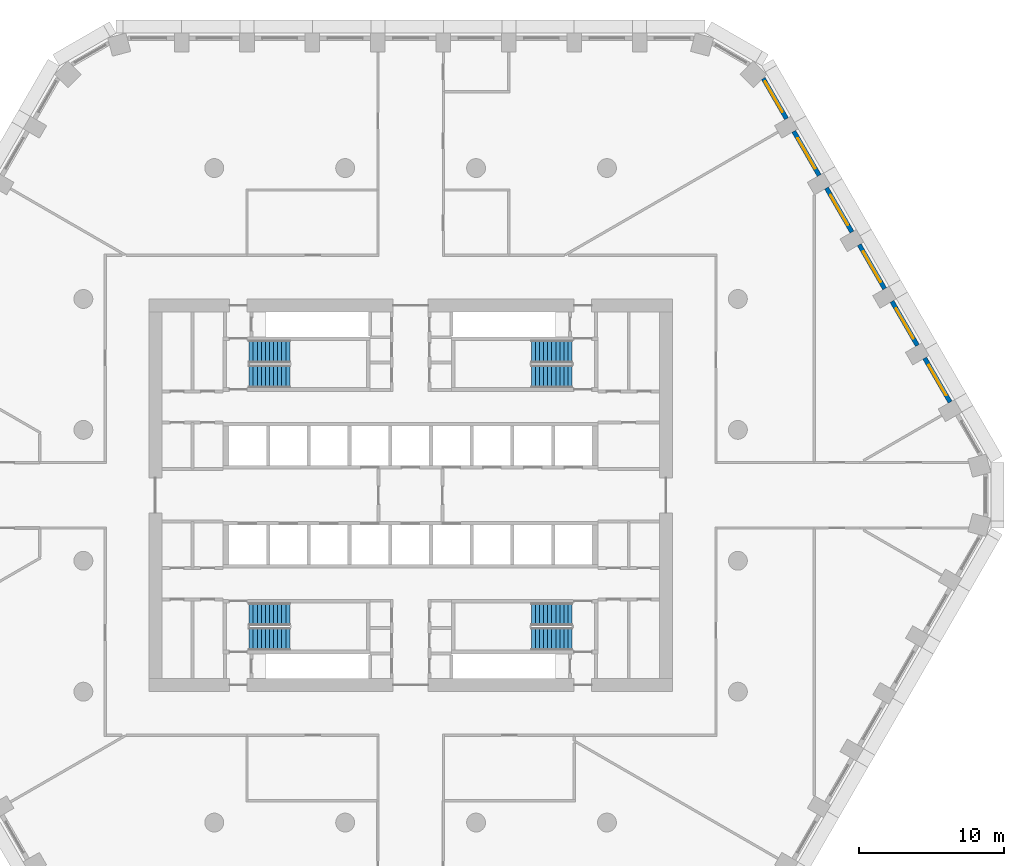
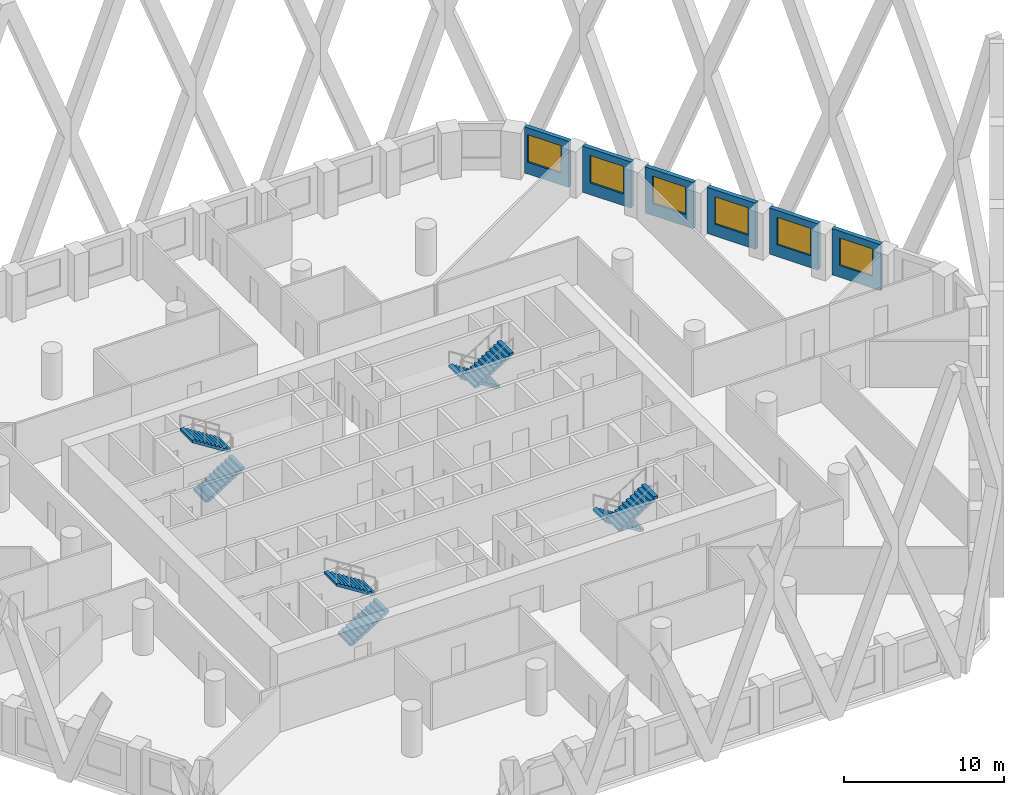
# One storey, part 9 of 18: 8 stair flights, 6 walls, 6 windows, 6 openings, 4 elements without a shape of their own.
"""IFC4 building model written with IfcOpenShell, lengths in metres."""

from ifc_helpers import new_model, si_unit, direction, frame, frame_2d, origin, place, context, subcontext, project, spatial, polyline, rectangle, outline, extrude, material, layer, layer_set, type_object, element, fill, aggregate, save


model = new_model("IFC4")

# Units and contexts
model_context = context("Model", 3, precision=1e-05, world=origin(), true_north=direction((0.0, 1.0)))
body_context = subcontext(model_context, "Body", "Model", "MODEL_VIEW")
ifc_project = project(units=[si_unit("LENGTHUNIT", "METRE"), si_unit("AREAUNIT", "SQUARE_METRE"), si_unit("VOLUMEUNIT", "CUBIC_METRE"), si_unit("PLANEANGLEUNIT", "RADIAN"), si_unit("MASSUNIT", "GRAM", prefix="KILO")], contexts=[model_context])

# Site, building, storey
site_placement = place(None, origin())
site = spatial("IfcSite", under=ifc_project, at=site_placement, CompositionType="ELEMENT")
building_placement = place(site_placement, origin())
building = spatial("IfcBuilding", under=site, at=building_placement, Name="Dhurran Vertical Campus", CompositionType="ELEMENT")
storey_placement = place(building_placement, frame((0.0, 0.0, 104.699951171875)))
storey = spatial("IfcBuildingStorey", under=building, at=storey_placement, Name="L25", CompositionType="ELEMENT", Elevation=104.699951171875)

# Wall, opening, window
ifc_material_1 = material(Name="Precast concrete C50/60", Category="concrete")
ifc_layer = layer(ifc_material_1, 0.300048828125)
ifc_layer_set = layer_set([ifc_layer], Name="Precast concrete C50/60")
wall_type = type_object("IfcWallType", Name="Precast spandrel wall 300", PredefinedType="SOLIDWALL", material=ifc_layer_set)
wall_1_placement = place(storey_placement, frame((37.09375, 6.405517578125, 0.0), z_axis=(0.0, 0.0, 1.0), x_axis=(-0.499996256241, 0.866027565234, 0.0)))
wall_1 = element("IfcWall", 1, at=wall_1_placement, inside=storey, type_object=wall_type, Name="EW1 L25.19", PredefinedType="SOLIDWALL", context=body_context, shape_type="SweptSolid", body=[
    extrude(rectangle(XDim=3.4990234375, YDim=0.300048828125, at=frame_2d((1.74951171875, 0.0))), origin(), (0.0, 0.0, 1.0), 3.525146484375),
])
opening_1_placement = place(wall_1_placement, frame((0.549560546875, 0.0, 0.89990234375)))
opening_1 = element("IfcOpeningElement", 2, at=opening_1_placement, cuts=wall_1, Name="Opening WT1", PredefinedType="OPENING", context=body_context, shape_type="SweptSolid", body=[
    extrude(rectangle(XDim=2.39990234375, YDim=2.10009765625, at=frame_2d((1.199951171875, 1.050048828125))), frame((0.0, 0.159912109375, 0.0), z_axis=(0.0, -1.0, 0.0), x_axis=(1.0, 0.0, 0.0)), (0.0, 0.0, 1.0), 0.320068359375),
])
ifc_material_2 = material(Name="Aluminium frame with solar-control glass", Category="aluminium")
window_type = type_object("IfcWindowType", Name="Punched window 2400 x 2100", PartitioningType="SINGLE_PANEL", PredefinedType="WINDOW", material=ifc_material_2)
window_1_placement = place(opening_1_placement, origin())
window_1 = element("IfcWindow", 3, at=window_1_placement, inside=storey, type_object=window_type, Name="WT1 L25.19", OverallHeight=2.10009765625, OverallWidth=2.39990234375, PartitioningType="SINGLE_PANEL", PredefinedType="WINDOW", context=body_context, shape_type="SweptSolid", body=[
    extrude(rectangle(XDim=2.39990234375, YDim=2.10009765625, at=frame_2d((1.199951171875, 1.050048828125))), frame((0.0, 0.030029296875, 0.0), z_axis=(0.0, -1.0, 0.0), x_axis=(1.0, 0.0, 0.0)), (0.0, 0.0, 1.0), 0.06005859375),
])
fill(opening_1, window_1)

wall_2_placement = place(storey_placement, frame((34.84375, 10.302734375, 0.0), z_axis=(0.0, 0.0, 1.0), x_axis=(-0.499996256241, 0.866027565234, 0.0)))
wall_2 = element("IfcWall", 4, at=wall_2_placement, inside=storey, type_object=wall_type, Name="EW1 L25.20", PredefinedType="SOLIDWALL", context=body_context, shape_type="SweptSolid", body=[
    extrude(rectangle(XDim=3.4990234375, YDim=0.300048828125, at=frame_2d((1.74951171875, 0.0))), origin(), (0.0, 0.0, 1.0), 3.525146484375),
])
opening_2_placement = place(wall_2_placement, frame((0.549560546875, 0.0, 0.89990234375)))
opening_2 = element("IfcOpeningElement", 5, at=opening_2_placement, cuts=wall_2, Name="Opening WT1", PredefinedType="OPENING", context=body_context, shape_type="SweptSolid", body=[
    extrude(rectangle(XDim=2.39990234375, YDim=2.10009765625, at=frame_2d((1.199951171875, 1.050048828125))), frame((0.0, 0.159912109375, 0.0), z_axis=(0.0, -1.0, 0.0), x_axis=(1.0, 0.0, 0.0)), (0.0, 0.0, 1.0), 0.320068359375),
])
window_2_placement = place(opening_2_placement, origin())
window_2 = element("IfcWindow", 6, at=window_2_placement, inside=storey, type_object=window_type, Name="WT1 L25.20", OverallHeight=2.10009765625, OverallWidth=2.39990234375, PartitioningType="SINGLE_PANEL", PredefinedType="WINDOW", context=body_context, shape_type="SweptSolid", body=[
    extrude(rectangle(XDim=2.39990234375, YDim=2.10009765625, at=frame_2d((1.199951171875, 1.050048828125))), frame((0.0, 0.030029296875, 0.0), z_axis=(0.0, -1.0, 0.0), x_axis=(1.0, 0.0, 0.0)), (0.0, 0.0, 1.0), 0.06005859375),
])
fill(opening_2, window_2)

wall_3_placement = place(storey_placement, frame((32.59375, 14.19970703125, 0.0), z_axis=(0.0, 0.0, 1.0), x_axis=(-0.499996256241, 0.866027565234, 0.0)))
wall_3 = element("IfcWall", 7, at=wall_3_placement, inside=storey, type_object=wall_type, Name="EW1 L25.21", PredefinedType="SOLIDWALL", context=body_context, shape_type="SweptSolid", body=[
    extrude(rectangle(XDim=3.4990234375, YDim=0.300048828125, at=frame_2d((1.74951171875, 0.0))), origin(), (0.0, 0.0, 1.0), 3.525146484375),
])
opening_3_placement = place(wall_3_placement, frame((0.549560546875, 0.0, 0.89990234375)))
opening_3 = element("IfcOpeningElement", 8, at=opening_3_placement, cuts=wall_3, Name="Opening WT1", PredefinedType="OPENING", context=body_context, shape_type="SweptSolid", body=[
    extrude(rectangle(XDim=2.39990234375, YDim=2.10009765625, at=frame_2d((1.199951171875, 1.050048828125))), frame((0.0, 0.159912109375, 0.0), z_axis=(0.0, -1.0, 0.0), x_axis=(1.0, 0.0, 0.0)), (0.0, 0.0, 1.0), 0.320068359375),
])
window_3_placement = place(opening_3_placement, origin())
window_3 = element("IfcWindow", 9, at=window_3_placement, inside=storey, type_object=window_type, Name="WT1 L25.21", OverallHeight=2.10009765625, OverallWidth=2.39990234375, PartitioningType="SINGLE_PANEL", PredefinedType="WINDOW", context=body_context, shape_type="SweptSolid", body=[
    extrude(rectangle(XDim=2.39990234375, YDim=2.10009765625, at=frame_2d((1.199951171875, 1.050048828125))), frame((0.0, 0.030029296875, 0.0), z_axis=(0.0, -1.0, 0.0), x_axis=(1.0, 0.0, 0.0)), (0.0, 0.0, 1.0), 0.06005859375),
])
fill(opening_3, window_3)

wall_4_placement = place(storey_placement, frame((30.34375, 18.096923828125, 0.0), z_axis=(0.0, 0.0, 1.0), x_axis=(-0.499996256241, 0.866027565234, 0.0)))
wall_4 = element("IfcWall", 10, at=wall_4_placement, inside=storey, type_object=wall_type, Name="EW1 L25.22", PredefinedType="SOLIDWALL", context=body_context, shape_type="SweptSolid", body=[
    extrude(rectangle(XDim=3.4990234375, YDim=0.300048828125, at=frame_2d((1.74951171875, 0.0))), origin(), (0.0, 0.0, 1.0), 3.525146484375),
])
opening_4_placement = place(wall_4_placement, frame((0.549560546875, 0.0, 0.89990234375)))
opening_4 = element("IfcOpeningElement", 11, at=opening_4_placement, cuts=wall_4, Name="Opening WT1", PredefinedType="OPENING", context=body_context, shape_type="SweptSolid", body=[
    extrude(rectangle(XDim=2.39990234375, YDim=2.10009765625, at=frame_2d((1.199951171875, 1.050048828125))), frame((0.0, 0.159912109375, 0.0), z_axis=(0.0, -1.0, 0.0), x_axis=(1.0, 0.0, 0.0)), (0.0, 0.0, 1.0), 0.320068359375),
])
window_4_placement = place(opening_4_placement, origin())
window_4 = element("IfcWindow", 12, at=window_4_placement, inside=storey, type_object=window_type, Name="WT1 L25.22", OverallHeight=2.10009765625, OverallWidth=2.39990234375, PartitioningType="SINGLE_PANEL", PredefinedType="WINDOW", context=body_context, shape_type="SweptSolid", body=[
    extrude(rectangle(XDim=2.39990234375, YDim=2.10009765625, at=frame_2d((1.199951171875, 1.050048828125))), frame((0.0, 0.030029296875, 0.0), z_axis=(0.0, -1.0, 0.0), x_axis=(1.0, 0.0, 0.0)), (0.0, 0.0, 1.0), 0.06005859375),
])
fill(opening_4, window_4)

wall_5_placement = place(storey_placement, frame((28.09375, 21.993896484375, 0.0), z_axis=(0.0, 0.0, 1.0), x_axis=(-0.499996256241, 0.866027565234, 0.0)))
wall_5 = element("IfcWall", 13, at=wall_5_placement, inside=storey, type_object=wall_type, Name="EW1 L25.23", PredefinedType="SOLIDWALL", context=body_context, shape_type="SweptSolid", body=[
    extrude(rectangle(XDim=3.4990234375, YDim=0.300048828125, at=frame_2d((1.74951171875, 0.0))), origin(), (0.0, 0.0, 1.0), 3.525146484375),
])
opening_5_placement = place(wall_5_placement, frame((0.549560546875, 0.0, 0.89990234375)))
opening_5 = element("IfcOpeningElement", 14, at=opening_5_placement, cuts=wall_5, Name="Opening WT1", PredefinedType="OPENING", context=body_context, shape_type="SweptSolid", body=[
    extrude(rectangle(XDim=2.39990234375, YDim=2.10009765625, at=frame_2d((1.199951171875, 1.050048828125))), frame((0.0, 0.159912109375, 0.0), z_axis=(0.0, -1.0, 0.0), x_axis=(1.0, 0.0, 0.0)), (0.0, 0.0, 1.0), 0.320068359375),
])
window_5_placement = place(opening_5_placement, origin())
window_5 = element("IfcWindow", 15, at=window_5_placement, inside=storey, type_object=window_type, Name="WT1 L25.23", OverallHeight=2.10009765625, OverallWidth=2.39990234375, PartitioningType="SINGLE_PANEL", PredefinedType="WINDOW", context=body_context, shape_type="SweptSolid", body=[
    extrude(rectangle(XDim=2.39990234375, YDim=2.10009765625, at=frame_2d((1.199951171875, 1.050048828125))), frame((0.0, 0.030029296875, 0.0), z_axis=(0.0, -1.0, 0.0), x_axis=(1.0, 0.0, 0.0)), (0.0, 0.0, 1.0), 0.06005859375),
])
fill(opening_5, window_5)

wall_6_placement = place(storey_placement, frame((25.84375, 25.89111328125, 0.0), z_axis=(0.0, 0.0, 1.0), x_axis=(-0.500004907028, 0.866022570692, 0.0)))
wall_6 = element("IfcWall", 16, at=wall_6_placement, inside=storey, type_object=wall_type, Name="EW1 L25.24", PredefinedType="SOLIDWALL", context=body_context, shape_type="SweptSolid", body=[
    extrude(rectangle(XDim=3.1923828125, YDim=0.300048828125, at=frame_2d((1.59619140625, 0.0))), origin(), (0.0, 0.0, 1.0), 3.525146484375),
])
opening_6_placement = place(wall_6_placement, frame((0.549560546875, 0.0, 0.89990234375)))
opening_6 = element("IfcOpeningElement", 17, at=opening_6_placement, cuts=wall_6, Name="Opening WT1", PredefinedType="OPENING", context=body_context, shape_type="SweptSolid", body=[
    extrude(rectangle(XDim=2.39990234375, YDim=2.10009765625, at=frame_2d((1.199951171875, 1.050048828125))), frame((0.0, 0.159912109375, 0.0), z_axis=(0.0, -1.0, 0.0), x_axis=(1.0, 0.0, 0.0)), (0.0, 0.0, 1.0), 0.320068359375),
])
window_6_placement = place(opening_6_placement, origin())
window_6 = element("IfcWindow", 18, at=window_6_placement, inside=storey, type_object=window_type, Name="WT1 L25.24", OverallHeight=2.10009765625, OverallWidth=2.39990234375, PartitioningType="SINGLE_PANEL", PredefinedType="WINDOW", context=body_context, shape_type="SweptSolid", body=[
    extrude(rectangle(XDim=2.39990234375, YDim=2.10009765625, at=frame_2d((1.199951171875, 1.050048828125))), frame((0.0, 0.030029296875, 0.0), z_axis=(0.0, -1.0, 0.0), x_axis=(1.0, 0.0, 0.0)), (0.0, 0.0, 1.0), 0.06005859375),
])
fill(opening_6, window_6)

# Stair, stair flights
ifc_material_3 = material(Name="Concrete C40/50", Category="concrete")
stair_type = type_object("IfcStairType", Name="co-ST-CORE", PredefinedType="HALF_TURN_STAIR", material=ifc_material_3)
stair_1_placement = place(storey_placement, origin())
stair_1 = element("IfcStair", 19, at=stair_1_placement, inside=storey, type_object=stair_type, Name="L25 Protected exit stair ST1", PredefinedType="HALF_TURN_STAIR")
ifc_material_4 = material(Name="Concrete C40/50", Category="concrete")
stair_flight_type = type_object("IfcStairFlightType", Name="co-SFL-RC", PredefinedType="STRAIGHT", material=ifc_material_4)
stair_flight_1_placement = place(storey_placement, frame((-11.10009765625, 8.175048828125, 0.0), z_axis=(0.0, 0.0, 1.0), x_axis=(1.0, 0.0, 0.0)))
stair_flight_1 = element("IfcStairFlight", 20, at=stair_flight_1_placement, type_object=stair_flight_type, Name="ST1 flight 1", NumberOfRisers=11, NumberOfTreads=10, PredefinedType="STRAIGHT", RiserHeight=0.177272727, TreadLength=0.28, context=body_context, shape_type="SweptSolid", body=[
    extrude(outline(polyline([(0.0, 0.0), (0.0, 0.17724609375), (0.280029296875, 0.17724609375), (0.280029296875, 0.3544921875), (0.56005859375, 0.3544921875), (0.56005859375, 0.53173828125), (0.840087890625, 0.53173828125), (0.840087890625, 0.708984375), (1.1201171875, 0.708984375), (1.1201171875, 0.886474609375), (1.39990234375, 0.886474609375), (1.39990234375, 1.063720703125), (1.679931640625, 1.063720703125), (1.679931640625, 1.240966796875), (1.9599609375, 1.240966796875), (1.9599609375, 1.418212890625), (2.239990234375, 1.418212890625), (2.239990234375, 1.595458984375), (2.52001953125, 1.595458984375), (2.52001953125, 1.772705078125), (2.800048828125, 1.772705078125), (2.800048828125, 1.949951171875), (2.800048828125, 1.59521484375), (0.2802734375, 0.0), (0.0, 0.0)])), frame((0.0, 0.77490234375, 0.0), z_axis=(0.0, -1.0, 0.0), x_axis=(1.0, 0.0, 0.0)), (0.0, 0.0, 1.0), 1.550048828125),
])
stair_flight_2_placement = place(storey_placement, frame((-8.300048828125, 9.875, 1.949951171875), z_axis=(0.0, 0.0, 1.0), x_axis=(-1.0, 0.0, 0.0)))
stair_flight_2 = element("IfcStairFlight", 21, at=stair_flight_2_placement, type_object=stair_flight_type, Name="ST1 flight 2", NumberOfRisers=11, NumberOfTreads=10, PredefinedType="STRAIGHT", RiserHeight=0.177272727, TreadLength=0.28, context=body_context, shape_type="SweptSolid", body=[
    extrude(outline(polyline([(0.0, 0.0), (0.0, 0.17724609375), (0.280029296875, 0.17724609375), (0.280029296875, 0.3544921875), (0.56005859375, 0.3544921875), (0.56005859375, 0.53173828125), (0.840087890625, 0.53173828125), (0.840087890625, 0.708984375), (1.1201171875, 0.708984375), (1.1201171875, 0.886474609375), (1.39990234375, 0.886474609375), (1.39990234375, 1.063720703125), (1.679931640625, 1.063720703125), (1.679931640625, 1.240966796875), (1.9599609375, 1.240966796875), (1.9599609375, 1.418212890625), (2.239990234375, 1.418212890625), (2.239990234375, 1.595458984375), (2.52001953125, 1.595458984375), (2.52001953125, 1.772705078125), (2.800048828125, 1.772705078125), (2.800048828125, 1.949951171875), (2.800048828125, 1.59521484375), (0.2802734375, 0.0), (0.0, 0.0)])), frame((0.0, 0.77490234375, 0.0), z_axis=(0.0, -1.0, 0.0), x_axis=(1.0, 0.0, 0.0)), (0.0, 0.0, 1.0), 1.550048828125),
])
aggregate(stair_1, [stair_flight_1, stair_flight_2])

stair_2_placement = place(storey_placement, origin())
stair_2 = element("IfcStair", 22, at=stair_2_placement, inside=storey, type_object=stair_type, Name="L25 Protected exit stair ST2", PredefinedType="HALF_TURN_STAIR")
stair_flight_3_placement = place(storey_placement, frame((11.10009765625, 9.875, 0.0), z_axis=(0.0, 0.0, 1.0), x_axis=(-1.0, 0.0, 0.0)))
stair_flight_3 = element("IfcStairFlight", 23, at=stair_flight_3_placement, type_object=stair_flight_type, Name="ST2 flight 1", NumberOfRisers=11, NumberOfTreads=10, PredefinedType="STRAIGHT", RiserHeight=0.177272727, TreadLength=0.28, context=body_context, shape_type="SweptSolid", body=[
    extrude(outline(polyline([(0.0, 0.0), (0.0, 0.17724609375), (0.280029296875, 0.17724609375), (0.280029296875, 0.3544921875), (0.56005859375, 0.3544921875), (0.56005859375, 0.53173828125), (0.840087890625, 0.53173828125), (0.840087890625, 0.708984375), (1.1201171875, 0.708984375), (1.1201171875, 0.886474609375), (1.39990234375, 0.886474609375), (1.39990234375, 1.063720703125), (1.679931640625, 1.063720703125), (1.679931640625, 1.240966796875), (1.9599609375, 1.240966796875), (1.9599609375, 1.418212890625), (2.239990234375, 1.418212890625), (2.239990234375, 1.595458984375), (2.52001953125, 1.595458984375), (2.52001953125, 1.772705078125), (2.800048828125, 1.772705078125), (2.800048828125, 1.949951171875), (2.800048828125, 1.59521484375), (0.2802734375, 0.0), (0.0, 0.0)])), frame((0.0, 0.77490234375, 0.0), z_axis=(0.0, -1.0, 0.0), x_axis=(1.0, 0.0, 0.0)), (0.0, 0.0, 1.0), 1.550048828125),
])
stair_flight_4_placement = place(storey_placement, frame((8.300048828125, 8.175048828125, 1.949951171875), z_axis=(0.0, 0.0, 1.0), x_axis=(1.0, 0.0, 0.0)))
stair_flight_4 = element("IfcStairFlight", 24, at=stair_flight_4_placement, type_object=stair_flight_type, Name="ST2 flight 2", NumberOfRisers=11, NumberOfTreads=10, PredefinedType="STRAIGHT", RiserHeight=0.177272727, TreadLength=0.28, context=body_context, shape_type="SweptSolid", body=[
    extrude(outline(polyline([(0.0, 0.0), (0.0, 0.17724609375), (0.280029296875, 0.17724609375), (0.280029296875, 0.3544921875), (0.56005859375, 0.3544921875), (0.56005859375, 0.53173828125), (0.840087890625, 0.53173828125), (0.840087890625, 0.708984375), (1.1201171875, 0.708984375), (1.1201171875, 0.886474609375), (1.39990234375, 0.886474609375), (1.39990234375, 1.063720703125), (1.679931640625, 1.063720703125), (1.679931640625, 1.240966796875), (1.9599609375, 1.240966796875), (1.9599609375, 1.418212890625), (2.239990234375, 1.418212890625), (2.239990234375, 1.595458984375), (2.52001953125, 1.595458984375), (2.52001953125, 1.772705078125), (2.800048828125, 1.772705078125), (2.800048828125, 1.949951171875), (2.800048828125, 1.59521484375), (0.2802734375, 0.0), (0.0, 0.0)])), frame((0.0, 0.77490234375, 0.0), z_axis=(0.0, -1.0, 0.0), x_axis=(1.0, 0.0, 0.0)), (0.0, 0.0, 1.0), 1.550048828125),
])
aggregate(stair_2, [stair_flight_3, stair_flight_4])

stair_3_placement = place(storey_placement, origin())
stair_3 = element("IfcStair", 25, at=stair_3_placement, inside=storey, type_object=stair_type, Name="L25 Protected exit stair ST3", PredefinedType="HALF_TURN_STAIR")
stair_flight_5_placement = place(storey_placement, frame((-11.10009765625, -9.875, 0.0), z_axis=(0.0, 0.0, 1.0), x_axis=(1.0, 0.0, 0.0)))
stair_flight_5 = element("IfcStairFlight", 26, at=stair_flight_5_placement, type_object=stair_flight_type, Name="ST3 flight 1", NumberOfRisers=11, NumberOfTreads=10, PredefinedType="STRAIGHT", RiserHeight=0.177272727, TreadLength=0.28, context=body_context, shape_type="SweptSolid", body=[
    extrude(outline(polyline([(0.0, 0.0), (0.0, 0.17724609375), (0.280029296875, 0.17724609375), (0.280029296875, 0.3544921875), (0.56005859375, 0.3544921875), (0.56005859375, 0.53173828125), (0.840087890625, 0.53173828125), (0.840087890625, 0.708984375), (1.1201171875, 0.708984375), (1.1201171875, 0.886474609375), (1.39990234375, 0.886474609375), (1.39990234375, 1.063720703125), (1.679931640625, 1.063720703125), (1.679931640625, 1.240966796875), (1.9599609375, 1.240966796875), (1.9599609375, 1.418212890625), (2.239990234375, 1.418212890625), (2.239990234375, 1.595458984375), (2.52001953125, 1.595458984375), (2.52001953125, 1.772705078125), (2.800048828125, 1.772705078125), (2.800048828125, 1.949951171875), (2.800048828125, 1.59521484375), (0.2802734375, 0.0), (0.0, 0.0)])), frame((0.0, 0.77490234375, 0.0), z_axis=(0.0, -1.0, 0.0), x_axis=(1.0, 0.0, 0.0)), (0.0, 0.0, 1.0), 1.550048828125),
])
stair_flight_6_placement = place(storey_placement, frame((-8.300048828125, -8.175048828125, 1.949951171875), z_axis=(0.0, 0.0, 1.0), x_axis=(-1.0, 0.0, 0.0)))
stair_flight_6 = element("IfcStairFlight", 27, at=stair_flight_6_placement, type_object=stair_flight_type, Name="ST3 flight 2", NumberOfRisers=11, NumberOfTreads=10, PredefinedType="STRAIGHT", RiserHeight=0.177272727, TreadLength=0.28, context=body_context, shape_type="SweptSolid", body=[
    extrude(outline(polyline([(0.0, 0.0), (0.0, 0.17724609375), (0.280029296875, 0.17724609375), (0.280029296875, 0.3544921875), (0.56005859375, 0.3544921875), (0.56005859375, 0.53173828125), (0.840087890625, 0.53173828125), (0.840087890625, 0.708984375), (1.1201171875, 0.708984375), (1.1201171875, 0.886474609375), (1.39990234375, 0.886474609375), (1.39990234375, 1.063720703125), (1.679931640625, 1.063720703125), (1.679931640625, 1.240966796875), (1.9599609375, 1.240966796875), (1.9599609375, 1.418212890625), (2.239990234375, 1.418212890625), (2.239990234375, 1.595458984375), (2.52001953125, 1.595458984375), (2.52001953125, 1.772705078125), (2.800048828125, 1.772705078125), (2.800048828125, 1.949951171875), (2.800048828125, 1.59521484375), (0.2802734375, 0.0), (0.0, 0.0)])), frame((0.0, 0.77490234375, 0.0), z_axis=(0.0, -1.0, 0.0), x_axis=(1.0, 0.0, 0.0)), (0.0, 0.0, 1.0), 1.550048828125),
])
aggregate(stair_3, [stair_flight_5, stair_flight_6])

stair_4_placement = place(storey_placement, origin())
stair_4 = element("IfcStair", 28, at=stair_4_placement, inside=storey, type_object=stair_type, Name="L25 Protected exit stair ST4", PredefinedType="HALF_TURN_STAIR")
stair_flight_7_placement = place(storey_placement, frame((11.10009765625, -8.175048828125, 0.0), z_axis=(0.0, 0.0, 1.0), x_axis=(-1.0, 0.0, 0.0)))
stair_flight_7 = element("IfcStairFlight", 29, at=stair_flight_7_placement, type_object=stair_flight_type, Name="ST4 flight 1", NumberOfRisers=11, NumberOfTreads=10, PredefinedType="STRAIGHT", RiserHeight=0.177272727, TreadLength=0.28, context=body_context, shape_type="SweptSolid", body=[
    extrude(outline(polyline([(0.0, 0.0), (0.0, 0.17724609375), (0.280029296875, 0.17724609375), (0.280029296875, 0.3544921875), (0.56005859375, 0.3544921875), (0.56005859375, 0.53173828125), (0.840087890625, 0.53173828125), (0.840087890625, 0.708984375), (1.1201171875, 0.708984375), (1.1201171875, 0.886474609375), (1.39990234375, 0.886474609375), (1.39990234375, 1.063720703125), (1.679931640625, 1.063720703125), (1.679931640625, 1.240966796875), (1.9599609375, 1.240966796875), (1.9599609375, 1.418212890625), (2.239990234375, 1.418212890625), (2.239990234375, 1.595458984375), (2.52001953125, 1.595458984375), (2.52001953125, 1.772705078125), (2.800048828125, 1.772705078125), (2.800048828125, 1.949951171875), (2.800048828125, 1.59521484375), (0.2802734375, 0.0), (0.0, 0.0)])), frame((0.0, 0.77490234375, 0.0), z_axis=(0.0, -1.0, 0.0), x_axis=(1.0, 0.0, 0.0)), (0.0, 0.0, 1.0), 1.550048828125),
])
stair_flight_8_placement = place(storey_placement, frame((8.300048828125, -9.875, 1.949951171875), z_axis=(0.0, 0.0, 1.0), x_axis=(1.0, 0.0, 0.0)))
stair_flight_8 = element("IfcStairFlight", 30, at=stair_flight_8_placement, type_object=stair_flight_type, Name="ST4 flight 2", NumberOfRisers=11, NumberOfTreads=10, PredefinedType="STRAIGHT", RiserHeight=0.177272727, TreadLength=0.28, context=body_context, shape_type="SweptSolid", body=[
    extrude(outline(polyline([(0.0, 0.0), (0.0, 0.17724609375), (0.280029296875, 0.17724609375), (0.280029296875, 0.3544921875), (0.56005859375, 0.3544921875), (0.56005859375, 0.53173828125), (0.840087890625, 0.53173828125), (0.840087890625, 0.708984375), (1.1201171875, 0.708984375), (1.1201171875, 0.886474609375), (1.39990234375, 0.886474609375), (1.39990234375, 1.063720703125), (1.679931640625, 1.063720703125), (1.679931640625, 1.240966796875), (1.9599609375, 1.240966796875), (1.9599609375, 1.418212890625), (2.239990234375, 1.418212890625), (2.239990234375, 1.595458984375), (2.52001953125, 1.595458984375), (2.52001953125, 1.772705078125), (2.800048828125, 1.772705078125), (2.800048828125, 1.949951171875), (2.800048828125, 1.59521484375), (0.2802734375, 0.0), (0.0, 0.0)])), frame((0.0, 0.77490234375, 0.0), z_axis=(0.0, -1.0, 0.0), x_axis=(1.0, 0.0, 0.0)), (0.0, 0.0, 1.0), 1.550048828125),
])
aggregate(stair_4, [stair_flight_7, stair_flight_8])

save(model, "model.ifc")
